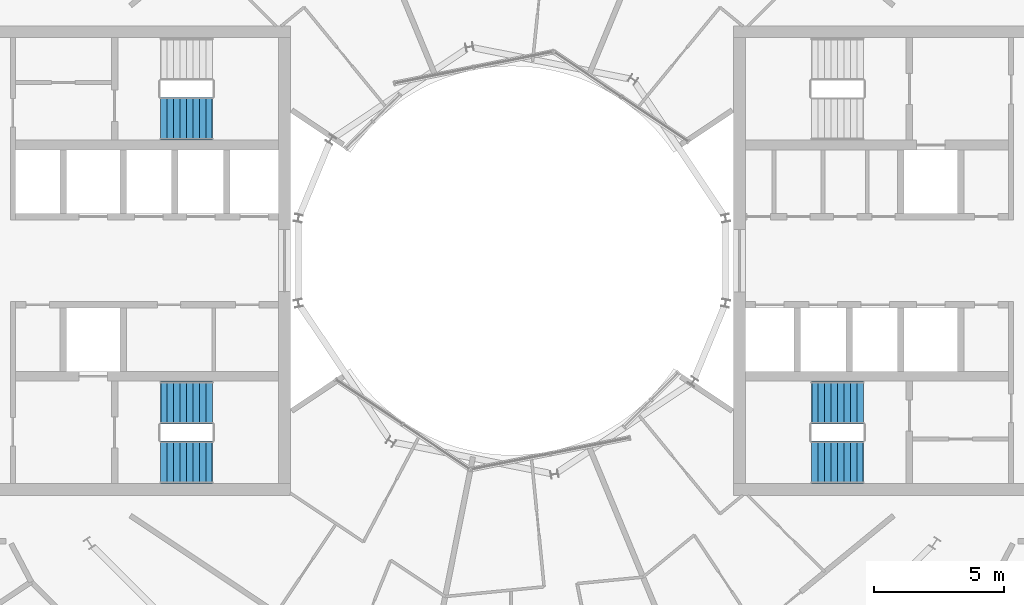
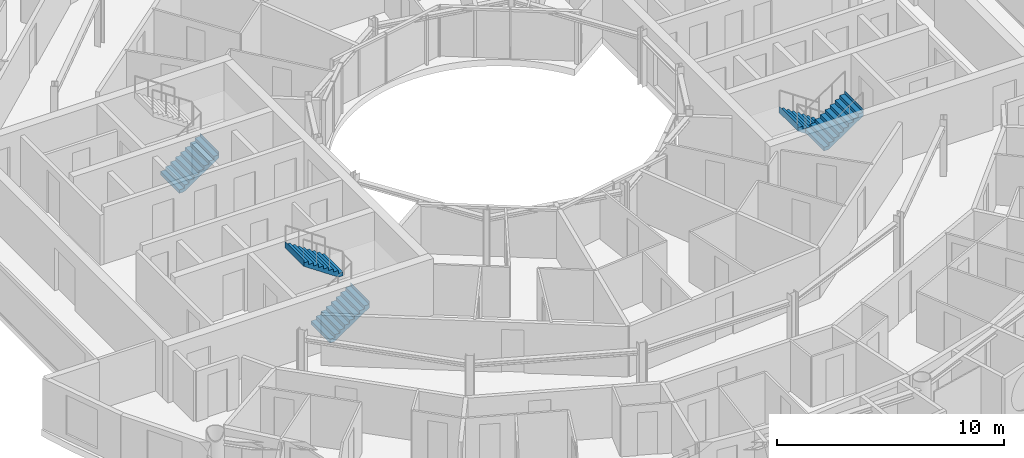
# One storey, part 26 of 29: 5 stair flights, 3 elements without a shape of their own.
"""IFC4 building model written with IfcOpenShell, lengths in metres."""

from ifc_helpers import new_model, si_unit, direction, frame, origin, place, context, subcontext, project, spatial, triangles, material, type_object, element, aggregate, save


model = new_model("IFC4")

# Units and contexts
model_context = context("Model", 3, precision=1e-05, world=origin(), true_north=direction((0.0, 1.0)))
body_context = subcontext(model_context, "Body", "Model", "MODEL_VIEW")
ifc_project = project(units=[si_unit("LENGTHUNIT", "METRE"), si_unit("AREAUNIT", "SQUARE_METRE"), si_unit("VOLUMEUNIT", "CUBIC_METRE"), si_unit("PLANEANGLEUNIT", "RADIAN"), si_unit("MASSUNIT", "GRAM", prefix="KILO")], contexts=[model_context])

# Site, building, storey
site_placement = place(None, origin())
site = spatial("IfcSite", under=ifc_project, at=site_placement, CompositionType="ELEMENT")
building_placement = place(site_placement, origin())
building = spatial("IfcBuilding", under=site, at=building_placement, Name="Maasbend Ring Residences", CompositionType="ELEMENT")
storey_placement = place(building_placement, frame((0.0, 0.0, 212.699951171875)))
storey = spatial("IfcBuildingStorey", under=building, at=storey_placement, Name="L61", CompositionType="ELEMENT", Elevation=212.699951171875)

# Stair, stair flights
ifc_material_1 = material(Name="Concrete C40/50", Category="concrete")
stair_type = type_object("IfcStairType", Name="CORE STAIR 18 RISERS", PredefinedType="HALF_TURN_STAIR", material=ifc_material_1)
stair_1_placement = place(storey_placement, origin())
stair_1 = element("IfcStair", 1, at=stair_1_placement, inside=storey, type_object=stair_type, Name="L61 Exit stair ST-E2", PredefinedType="HALF_TURN_STAIR")
ifc_material_2 = material(Name="Concrete C40/50", Category="concrete")
stair_flight_type = type_object("IfcStairFlightType", Name="CORE STAIR FLIGHT 1650", PredefinedType="STRAIGHT", material=ifc_material_2)
stair_flight_1_placement = place(storey_placement, frame((13.550048828125, -5.47509765625, 0.0), z_axis=(0.0, 0.0, 1.0), x_axis=(-1.0, 0.0, 0.0)))
stair_flight_1 = element("IfcStairFlight", 2, at=stair_flight_1_placement, type_object=stair_flight_type, Name="ST-E2 flight 1", NumberOfRisers=9, NumberOfTreads=8, PredefinedType="STRAIGHT", RiserHeight=0.169444444, TreadLength=0.25, context=body_context, shape_type="Tessellation", body=[
    triangles([(0.24072265625, 0.824951171875, -0.02001953125), (2.0029296875, 0.824951171875, 1.174560546875), (2.0029296875, 0.824951171875, 1.52490234375), (1.989990234375, 0.824951171875, 1.35546875), (1.75, 0.824951171875, 1.35546875), (1.75, 0.824951171875, 1.18603515625), (1.5, 0.824951171875, 1.18603515625), (1.5, 0.824951171875, 1.0166015625), (1.25, 0.824951171875, 1.0166015625), (1.25, 0.824951171875, 0.84716796875), (1.0, 0.824951171875, 0.84716796875), (1.0, 0.824951171875, 0.677734375), (0.75, 0.824951171875, 0.677734375), (0.75, 0.824951171875, 0.50830078125), (0.5, 0.824951171875, 0.50830078125), (0.5, 0.824951171875, 0.3388671875), (0.25, 0.824951171875, 0.3388671875), (0.25, 0.824951171875, 0.16943359375), (0.0, 0.824951171875, 0.16943359375), (0.0, 0.824951171875, 0.0), (-0.0029296875, 0.824951171875, 0.0), (-0.0029296875, 0.824951171875, -0.02001953125), (0.24072265625, 0.27490234375, -0.02001953125), (2.0029296875, 0.27490234375, 1.174560546875), (2.0029296875, 0.27490234375, 1.52490234375), (1.989990234375, 0.27490234375, 1.35546875), (1.75, 0.27490234375, 1.35546875), (1.75, 0.27490234375, 1.18603515625), (1.5, 0.27490234375, 1.18603515625), (1.5, 0.27490234375, 1.0166015625), (1.25, 0.27490234375, 1.0166015625), (1.25, 0.27490234375, 0.84716796875), (1.0, 0.27490234375, 0.84716796875), (1.0, 0.27490234375, 0.677734375), (0.75, 0.27490234375, 0.677734375), (0.75, 0.27490234375, 0.50830078125), (0.5, 0.27490234375, 0.50830078125), (0.5, 0.27490234375, 0.3388671875), (0.25, 0.27490234375, 0.3388671875), (0.25, 0.27490234375, 0.16943359375), (0.0, 0.27490234375, 0.16943359375), (0.0, 0.27490234375, 0.0), (-0.0029296875, 0.27490234375, 0.0), (-0.0029296875, 0.27490234375, -0.02001953125), (0.24072265625, -0.27490234375, -0.02001953125), (2.0029296875, -0.27490234375, 1.174560546875), (2.0029296875, -0.27490234375, 1.52490234375), (1.989990234375, -0.27490234375, 1.35546875), (1.75, -0.27490234375, 1.35546875), (1.75, -0.27490234375, 1.18603515625), (1.5, -0.27490234375, 1.18603515625), (1.5, -0.27490234375, 1.0166015625), (1.25, -0.27490234375, 1.0166015625), (1.25, -0.27490234375, 0.84716796875), (1.0, -0.27490234375, 0.84716796875), (1.0, -0.27490234375, 0.677734375), (0.75, -0.27490234375, 0.677734375), (0.75, -0.27490234375, 0.50830078125), (0.5, -0.27490234375, 0.50830078125), (0.5, -0.27490234375, 0.3388671875), (0.25, -0.27490234375, 0.3388671875), (0.25, -0.27490234375, 0.16943359375), (0.0, -0.27490234375, 0.16943359375), (0.0, -0.27490234375, 0.0), (-0.0029296875, -0.27490234375, 0.0), (-0.0029296875, -0.27490234375, -0.02001953125), (0.24072265625, -0.824951171875, -0.02001953125), (2.0029296875, -0.824951171875, 1.174560546875), (2.0029296875, -0.824951171875, 1.52490234375), (1.989990234375, -0.824951171875, 1.35546875), (1.75, -0.824951171875, 1.35546875), (1.75, -0.824951171875, 1.18603515625), (1.5, -0.824951171875, 1.18603515625), (1.5, -0.824951171875, 1.0166015625), (1.25, -0.824951171875, 1.0166015625), (1.25, -0.824951171875, 0.84716796875), (1.0, -0.824951171875, 0.84716796875), (1.0, -0.824951171875, 0.677734375), (0.75, -0.824951171875, 0.677734375), (0.75, -0.824951171875, 0.50830078125), (0.5, -0.824951171875, 0.50830078125), (0.5, -0.824951171875, 0.3388671875), (0.25, -0.824951171875, 0.3388671875), (0.25, -0.824951171875, 0.16943359375), (0.0, -0.824951171875, 0.16943359375), (0.0, -0.824951171875, 0.0), (-0.0029296875, -0.824951171875, 0.0), (-0.0029296875, -0.824951171875, -0.02001953125)], [[1, 2, 24], [1, 24, 23], [23, 24, 46], [23, 46, 45], [45, 46, 68], [45, 68, 67], [2, 3, 25], [2, 25, 24], [24, 25, 47], [24, 47, 46], [46, 47, 69], [46, 69, 68], [3, 4, 26], [3, 26, 25], [25, 26, 48], [25, 48, 47], [47, 48, 70], [47, 70, 69], [4, 5, 27], [4, 27, 26], [26, 27, 49], [26, 49, 48], [48, 49, 71], [48, 71, 70], [5, 6, 28], [5, 28, 27], [27, 28, 50], [27, 50, 49], [49, 50, 72], [49, 72, 71], [6, 7, 29], [6, 29, 28], [28, 29, 51], [28, 51, 50], [50, 51, 73], [50, 73, 72], [7, 8, 30], [7, 30, 29], [29, 30, 52], [29, 52, 51], [51, 52, 74], [51, 74, 73], [8, 9, 31], [8, 31, 30], [30, 31, 53], [30, 53, 52], [52, 53, 75], [52, 75, 74], [9, 10, 32], [9, 32, 31], [31, 32, 54], [31, 54, 53], [53, 54, 76], [53, 76, 75], [10, 11, 33], [10, 33, 32], [32, 33, 55], [32, 55, 54], [54, 55, 77], [54, 77, 76], [11, 12, 34], [11, 34, 33], [33, 34, 56], [33, 56, 55], [55, 56, 78], [55, 78, 77], [12, 13, 35], [12, 35, 34], [34, 35, 57], [34, 57, 56], [56, 57, 79], [56, 79, 78], [13, 14, 36], [13, 36, 35], [35, 36, 58], [35, 58, 57], [57, 58, 80], [57, 80, 79], [14, 15, 37], [14, 37, 36], [36, 37, 59], [36, 59, 58], [58, 59, 81], [58, 81, 80], [15, 16, 38], [15, 38, 37], [37, 38, 60], [37, 60, 59], [59, 60, 82], [59, 82, 81], [16, 17, 39], [16, 39, 38], [38, 39, 61], [38, 61, 60], [60, 61, 83], [60, 83, 82], [17, 18, 40], [17, 40, 39], [39, 40, 62], [39, 62, 61], [61, 62, 84], [61, 84, 83], [18, 19, 41], [18, 41, 40], [40, 41, 63], [40, 63, 62], [62, 63, 85], [62, 85, 84], [19, 20, 42], [19, 42, 41], [41, 42, 64], [41, 64, 63], [63, 64, 86], [63, 86, 85], [20, 21, 43], [20, 43, 42], [42, 43, 65], [42, 65, 64], [64, 65, 87], [64, 87, 86], [21, 22, 44], [21, 44, 43], [43, 44, 66], [43, 66, 65], [65, 66, 88], [65, 88, 87], [22, 1, 23], [22, 23, 44], [44, 23, 45], [44, 45, 66], [66, 45, 67], [66, 67, 88], [22, 2, 1], [2, 4, 3], [2, 5, 4], [2, 6, 5], [22, 6, 2], [6, 8, 7], [22, 8, 6], [8, 10, 9], [22, 10, 8], [10, 12, 11], [22, 12, 10], [12, 14, 13], [22, 14, 12], [14, 16, 15], [22, 16, 14], [16, 18, 17], [22, 18, 16], [18, 20, 19], [22, 20, 18], [20, 22, 21], [88, 67, 68], [68, 69, 70], [68, 70, 71], [68, 71, 72], [88, 68, 72], [72, 73, 74], [88, 72, 74], [74, 75, 76], [88, 74, 76], [76, 77, 78], [88, 76, 78], [78, 79, 80], [88, 78, 80], [80, 81, 82], [88, 80, 82], [82, 83, 84], [88, 82, 84], [84, 85, 86], [88, 84, 86], [86, 87, 88]], closed=True),
])
stair_flight_2_placement = place(storey_placement, frame((11.550048828125, -7.77490234375, 1.525146484375), z_axis=(0.0, 0.0, 1.0), x_axis=(1.0, 0.0, 0.0)))
stair_flight_2 = element("IfcStairFlight", 3, at=stair_flight_2_placement, type_object=stair_flight_type, Name="ST-E2 flight 2", NumberOfRisers=9, NumberOfTreads=8, PredefinedType="STRAIGHT", RiserHeight=0.169444444, TreadLength=0.25, context=body_context, shape_type="Tessellation", body=[
    triangles([(0.24072265625, 0.824951171875, -0.02001953125), (2.0029296875, 0.824951171875, 1.174560546875), (2.0029296875, 0.824951171875, 1.52490234375), (1.989990234375, 0.824951171875, 1.35546875), (1.75, 0.824951171875, 1.35546875), (1.75, 0.824951171875, 1.18603515625), (1.5, 0.824951171875, 1.18603515625), (1.5, 0.824951171875, 1.0166015625), (1.25, 0.824951171875, 1.0166015625), (1.25, 0.824951171875, 0.84716796875), (1.0, 0.824951171875, 0.84716796875), (1.0, 0.824951171875, 0.677734375), (0.75, 0.824951171875, 0.677734375), (0.75, 0.824951171875, 0.50830078125), (0.5, 0.824951171875, 0.50830078125), (0.5, 0.824951171875, 0.3388671875), (0.25, 0.824951171875, 0.3388671875), (0.25, 0.824951171875, 0.16943359375), (0.0, 0.824951171875, 0.16943359375), (0.0, 0.824951171875, 0.0), (-0.0029296875, 0.824951171875, 0.0), (-0.0029296875, 0.824951171875, -0.02001953125), (0.24072265625, 0.27490234375, -0.02001953125), (2.0029296875, 0.27490234375, 1.174560546875), (2.0029296875, 0.27490234375, 1.52490234375), (1.989990234375, 0.27490234375, 1.35546875), (1.75, 0.27490234375, 1.35546875), (1.75, 0.27490234375, 1.18603515625), (1.5, 0.27490234375, 1.18603515625), (1.5, 0.27490234375, 1.0166015625), (1.25, 0.27490234375, 1.0166015625), (1.25, 0.27490234375, 0.84716796875), (1.0, 0.27490234375, 0.84716796875), (1.0, 0.27490234375, 0.677734375), (0.75, 0.27490234375, 0.677734375), (0.75, 0.27490234375, 0.50830078125), (0.5, 0.27490234375, 0.50830078125), (0.5, 0.27490234375, 0.3388671875), (0.25, 0.27490234375, 0.3388671875), (0.25, 0.27490234375, 0.16943359375), (0.0, 0.27490234375, 0.16943359375), (0.0, 0.27490234375, 0.0), (-0.0029296875, 0.27490234375, 0.0), (-0.0029296875, 0.27490234375, -0.02001953125), (0.24072265625, -0.27490234375, -0.02001953125), (2.0029296875, -0.27490234375, 1.174560546875), (2.0029296875, -0.27490234375, 1.52490234375), (1.989990234375, -0.27490234375, 1.35546875), (1.75, -0.27490234375, 1.35546875), (1.75, -0.27490234375, 1.18603515625), (1.5, -0.27490234375, 1.18603515625), (1.5, -0.27490234375, 1.0166015625), (1.25, -0.27490234375, 1.0166015625), (1.25, -0.27490234375, 0.84716796875), (1.0, -0.27490234375, 0.84716796875), (1.0, -0.27490234375, 0.677734375), (0.75, -0.27490234375, 0.677734375), (0.75, -0.27490234375, 0.50830078125), (0.5, -0.27490234375, 0.50830078125), (0.5, -0.27490234375, 0.3388671875), (0.25, -0.27490234375, 0.3388671875), (0.25, -0.27490234375, 0.16943359375), (0.0, -0.27490234375, 0.16943359375), (0.0, -0.27490234375, 0.0), (-0.0029296875, -0.27490234375, 0.0), (-0.0029296875, -0.27490234375, -0.02001953125), (0.24072265625, -0.824951171875, -0.02001953125), (2.0029296875, -0.824951171875, 1.174560546875), (2.0029296875, -0.824951171875, 1.52490234375), (1.989990234375, -0.824951171875, 1.35546875), (1.75, -0.824951171875, 1.35546875), (1.75, -0.824951171875, 1.18603515625), (1.5, -0.824951171875, 1.18603515625), (1.5, -0.824951171875, 1.0166015625), (1.25, -0.824951171875, 1.0166015625), (1.25, -0.824951171875, 0.84716796875), (1.0, -0.824951171875, 0.84716796875), (1.0, -0.824951171875, 0.677734375), (0.75, -0.824951171875, 0.677734375), (0.75, -0.824951171875, 0.50830078125), (0.5, -0.824951171875, 0.50830078125), (0.5, -0.824951171875, 0.3388671875), (0.25, -0.824951171875, 0.3388671875), (0.25, -0.824951171875, 0.16943359375), (0.0, -0.824951171875, 0.16943359375), (0.0, -0.824951171875, 0.0), (-0.0029296875, -0.824951171875, 0.0), (-0.0029296875, -0.824951171875, -0.02001953125)], [[1, 2, 24], [1, 24, 23], [23, 24, 46], [23, 46, 45], [45, 46, 68], [45, 68, 67], [2, 3, 25], [2, 25, 24], [24, 25, 47], [24, 47, 46], [46, 47, 69], [46, 69, 68], [3, 4, 26], [3, 26, 25], [25, 26, 48], [25, 48, 47], [47, 48, 70], [47, 70, 69], [4, 5, 27], [4, 27, 26], [26, 27, 49], [26, 49, 48], [48, 49, 71], [48, 71, 70], [5, 6, 28], [5, 28, 27], [27, 28, 50], [27, 50, 49], [49, 50, 72], [49, 72, 71], [6, 7, 29], [6, 29, 28], [28, 29, 51], [28, 51, 50], [50, 51, 73], [50, 73, 72], [7, 8, 30], [7, 30, 29], [29, 30, 52], [29, 52, 51], [51, 52, 74], [51, 74, 73], [8, 9, 31], [8, 31, 30], [30, 31, 53], [30, 53, 52], [52, 53, 75], [52, 75, 74], [9, 10, 32], [9, 32, 31], [31, 32, 54], [31, 54, 53], [53, 54, 76], [53, 76, 75], [10, 11, 33], [10, 33, 32], [32, 33, 55], [32, 55, 54], [54, 55, 77], [54, 77, 76], [11, 12, 34], [11, 34, 33], [33, 34, 56], [33, 56, 55], [55, 56, 78], [55, 78, 77], [12, 13, 35], [12, 35, 34], [34, 35, 57], [34, 57, 56], [56, 57, 79], [56, 79, 78], [13, 14, 36], [13, 36, 35], [35, 36, 58], [35, 58, 57], [57, 58, 80], [57, 80, 79], [14, 15, 37], [14, 37, 36], [36, 37, 59], [36, 59, 58], [58, 59, 81], [58, 81, 80], [15, 16, 38], [15, 38, 37], [37, 38, 60], [37, 60, 59], [59, 60, 82], [59, 82, 81], [16, 17, 39], [16, 39, 38], [38, 39, 61], [38, 61, 60], [60, 61, 83], [60, 83, 82], [17, 18, 40], [17, 40, 39], [39, 40, 62], [39, 62, 61], [61, 62, 84], [61, 84, 83], [18, 19, 41], [18, 41, 40], [40, 41, 63], [40, 63, 62], [62, 63, 85], [62, 85, 84], [19, 20, 42], [19, 42, 41], [41, 42, 64], [41, 64, 63], [63, 64, 86], [63, 86, 85], [20, 21, 43], [20, 43, 42], [42, 43, 65], [42, 65, 64], [64, 65, 87], [64, 87, 86], [21, 22, 44], [21, 44, 43], [43, 44, 66], [43, 66, 65], [65, 66, 88], [65, 88, 87], [22, 1, 23], [22, 23, 44], [44, 23, 45], [44, 45, 66], [66, 45, 67], [66, 67, 88], [22, 2, 1], [2, 4, 3], [2, 5, 4], [2, 6, 5], [22, 6, 2], [6, 8, 7], [22, 8, 6], [8, 10, 9], [22, 10, 8], [10, 12, 11], [22, 12, 10], [12, 14, 13], [22, 14, 12], [14, 16, 15], [22, 16, 14], [16, 18, 17], [22, 18, 16], [18, 20, 19], [22, 20, 18], [20, 22, 21], [88, 67, 68], [68, 69, 70], [68, 70, 71], [68, 71, 72], [88, 68, 72], [72, 73, 74], [88, 72, 74], [74, 75, 76], [88, 74, 76], [76, 77, 78], [88, 76, 78], [78, 79, 80], [88, 78, 80], [80, 81, 82], [88, 80, 82], [82, 83, 84], [88, 82, 84], [84, 85, 86], [88, 84, 86], [86, 87, 88]], closed=True),
])
aggregate(stair_1, [stair_flight_1, stair_flight_2])

stair_2_placement = place(storey_placement, origin())
stair_2 = element("IfcStair", 4, at=stair_2_placement, inside=storey, type_object=stair_type, Name="L61 Exit stair ST-W1", PredefinedType="HALF_TURN_STAIR")
stair_flight_3_placement = place(storey_placement, frame((-13.550048828125, -7.77490234375, 0.0), z_axis=(0.0, 0.0, 1.0), x_axis=(1.0, 0.0, 0.0)))
stair_flight_3 = element("IfcStairFlight", 5, at=stair_flight_3_placement, type_object=stair_flight_type, Name="ST-W1 flight 1", NumberOfRisers=9, NumberOfTreads=8, PredefinedType="STRAIGHT", RiserHeight=0.169444444, TreadLength=0.25, context=body_context, shape_type="Tessellation", body=[
    triangles([(0.24072265625, 0.824951171875, -0.02001953125), (2.0029296875, 0.824951171875, 1.174560546875), (2.0029296875, 0.824951171875, 1.52490234375), (1.989990234375, 0.824951171875, 1.35546875), (1.75, 0.824951171875, 1.35546875), (1.75, 0.824951171875, 1.18603515625), (1.5, 0.824951171875, 1.18603515625), (1.5, 0.824951171875, 1.0166015625), (1.25, 0.824951171875, 1.0166015625), (1.25, 0.824951171875, 0.84716796875), (1.0, 0.824951171875, 0.84716796875), (1.0, 0.824951171875, 0.677734375), (0.75, 0.824951171875, 0.677734375), (0.75, 0.824951171875, 0.50830078125), (0.5, 0.824951171875, 0.50830078125), (0.5, 0.824951171875, 0.3388671875), (0.25, 0.824951171875, 0.3388671875), (0.25, 0.824951171875, 0.16943359375), (0.0, 0.824951171875, 0.16943359375), (0.0, 0.824951171875, 0.0), (-0.0029296875, 0.824951171875, 0.0), (-0.0029296875, 0.824951171875, -0.02001953125), (0.24072265625, 0.27490234375, -0.02001953125), (2.0029296875, 0.27490234375, 1.174560546875), (2.0029296875, 0.27490234375, 1.52490234375), (1.989990234375, 0.27490234375, 1.35546875), (1.75, 0.27490234375, 1.35546875), (1.75, 0.27490234375, 1.18603515625), (1.5, 0.27490234375, 1.18603515625), (1.5, 0.27490234375, 1.0166015625), (1.25, 0.27490234375, 1.0166015625), (1.25, 0.27490234375, 0.84716796875), (1.0, 0.27490234375, 0.84716796875), (1.0, 0.27490234375, 0.677734375), (0.75, 0.27490234375, 0.677734375), (0.75, 0.27490234375, 0.50830078125), (0.5, 0.27490234375, 0.50830078125), (0.5, 0.27490234375, 0.3388671875), (0.25, 0.27490234375, 0.3388671875), (0.25, 0.27490234375, 0.16943359375), (0.0, 0.27490234375, 0.16943359375), (0.0, 0.27490234375, 0.0), (-0.0029296875, 0.27490234375, 0.0), (-0.0029296875, 0.27490234375, -0.02001953125), (0.24072265625, -0.27490234375, -0.02001953125), (2.0029296875, -0.27490234375, 1.174560546875), (2.0029296875, -0.27490234375, 1.52490234375), (1.989990234375, -0.27490234375, 1.35546875), (1.75, -0.27490234375, 1.35546875), (1.75, -0.27490234375, 1.18603515625), (1.5, -0.27490234375, 1.18603515625), (1.5, -0.27490234375, 1.0166015625), (1.25, -0.27490234375, 1.0166015625), (1.25, -0.27490234375, 0.84716796875), (1.0, -0.27490234375, 0.84716796875), (1.0, -0.27490234375, 0.677734375), (0.75, -0.27490234375, 0.677734375), (0.75, -0.27490234375, 0.50830078125), (0.5, -0.27490234375, 0.50830078125), (0.5, -0.27490234375, 0.3388671875), (0.25, -0.27490234375, 0.3388671875), (0.25, -0.27490234375, 0.16943359375), (0.0, -0.27490234375, 0.16943359375), (0.0, -0.27490234375, 0.0), (-0.0029296875, -0.27490234375, 0.0), (-0.0029296875, -0.27490234375, -0.02001953125), (0.24072265625, -0.824951171875, -0.02001953125), (2.0029296875, -0.824951171875, 1.174560546875), (2.0029296875, -0.824951171875, 1.52490234375), (1.989990234375, -0.824951171875, 1.35546875), (1.75, -0.824951171875, 1.35546875), (1.75, -0.824951171875, 1.18603515625), (1.5, -0.824951171875, 1.18603515625), (1.5, -0.824951171875, 1.0166015625), (1.25, -0.824951171875, 1.0166015625), (1.25, -0.824951171875, 0.84716796875), (1.0, -0.824951171875, 0.84716796875), (1.0, -0.824951171875, 0.677734375), (0.75, -0.824951171875, 0.677734375), (0.75, -0.824951171875, 0.50830078125), (0.5, -0.824951171875, 0.50830078125), (0.5, -0.824951171875, 0.3388671875), (0.25, -0.824951171875, 0.3388671875), (0.25, -0.824951171875, 0.16943359375), (0.0, -0.824951171875, 0.16943359375), (0.0, -0.824951171875, 0.0), (-0.0029296875, -0.824951171875, 0.0), (-0.0029296875, -0.824951171875, -0.02001953125)], [[1, 2, 24], [1, 24, 23], [23, 24, 46], [23, 46, 45], [45, 46, 68], [45, 68, 67], [2, 3, 25], [2, 25, 24], [24, 25, 47], [24, 47, 46], [46, 47, 69], [46, 69, 68], [3, 4, 26], [3, 26, 25], [25, 26, 48], [25, 48, 47], [47, 48, 70], [47, 70, 69], [4, 5, 27], [4, 27, 26], [26, 27, 49], [26, 49, 48], [48, 49, 71], [48, 71, 70], [5, 6, 28], [5, 28, 27], [27, 28, 50], [27, 50, 49], [49, 50, 72], [49, 72, 71], [6, 7, 29], [6, 29, 28], [28, 29, 51], [28, 51, 50], [50, 51, 73], [50, 73, 72], [7, 8, 30], [7, 30, 29], [29, 30, 52], [29, 52, 51], [51, 52, 74], [51, 74, 73], [8, 9, 31], [8, 31, 30], [30, 31, 53], [30, 53, 52], [52, 53, 75], [52, 75, 74], [9, 10, 32], [9, 32, 31], [31, 32, 54], [31, 54, 53], [53, 54, 76], [53, 76, 75], [10, 11, 33], [10, 33, 32], [32, 33, 55], [32, 55, 54], [54, 55, 77], [54, 77, 76], [11, 12, 34], [11, 34, 33], [33, 34, 56], [33, 56, 55], [55, 56, 78], [55, 78, 77], [12, 13, 35], [12, 35, 34], [34, 35, 57], [34, 57, 56], [56, 57, 79], [56, 79, 78], [13, 14, 36], [13, 36, 35], [35, 36, 58], [35, 58, 57], [57, 58, 80], [57, 80, 79], [14, 15, 37], [14, 37, 36], [36, 37, 59], [36, 59, 58], [58, 59, 81], [58, 81, 80], [15, 16, 38], [15, 38, 37], [37, 38, 60], [37, 60, 59], [59, 60, 82], [59, 82, 81], [16, 17, 39], [16, 39, 38], [38, 39, 61], [38, 61, 60], [60, 61, 83], [60, 83, 82], [17, 18, 40], [17, 40, 39], [39, 40, 62], [39, 62, 61], [61, 62, 84], [61, 84, 83], [18, 19, 41], [18, 41, 40], [40, 41, 63], [40, 63, 62], [62, 63, 85], [62, 85, 84], [19, 20, 42], [19, 42, 41], [41, 42, 64], [41, 64, 63], [63, 64, 86], [63, 86, 85], [20, 21, 43], [20, 43, 42], [42, 43, 65], [42, 65, 64], [64, 65, 87], [64, 87, 86], [21, 22, 44], [21, 44, 43], [43, 44, 66], [43, 66, 65], [65, 66, 88], [65, 88, 87], [22, 1, 23], [22, 23, 44], [44, 23, 45], [44, 45, 66], [66, 45, 67], [66, 67, 88], [22, 2, 1], [2, 4, 3], [2, 5, 4], [2, 6, 5], [22, 6, 2], [6, 8, 7], [22, 8, 6], [8, 10, 9], [22, 10, 8], [10, 12, 11], [22, 12, 10], [12, 14, 13], [22, 14, 12], [14, 16, 15], [22, 16, 14], [16, 18, 17], [22, 18, 16], [18, 20, 19], [22, 20, 18], [20, 22, 21], [88, 67, 68], [68, 69, 70], [68, 70, 71], [68, 71, 72], [88, 68, 72], [72, 73, 74], [88, 72, 74], [74, 75, 76], [88, 74, 76], [76, 77, 78], [88, 76, 78], [78, 79, 80], [88, 78, 80], [80, 81, 82], [88, 80, 82], [82, 83, 84], [88, 82, 84], [84, 85, 86], [88, 84, 86], [86, 87, 88]], closed=True),
])
stair_flight_4_placement = place(storey_placement, frame((-11.550048828125, -5.47509765625, 1.525146484375), z_axis=(0.0, 0.0, 1.0), x_axis=(-1.0, 0.0, 0.0)))
stair_flight_4 = element("IfcStairFlight", 6, at=stair_flight_4_placement, type_object=stair_flight_type, Name="ST-W1 flight 2", NumberOfRisers=9, NumberOfTreads=8, PredefinedType="STRAIGHT", RiserHeight=0.169444444, TreadLength=0.25, context=body_context, shape_type="Tessellation", body=[
    triangles([(0.24072265625, 0.824951171875, -0.02001953125), (2.0029296875, 0.824951171875, 1.174560546875), (2.0029296875, 0.824951171875, 1.52490234375), (1.989990234375, 0.824951171875, 1.35546875), (1.75, 0.824951171875, 1.35546875), (1.75, 0.824951171875, 1.18603515625), (1.5, 0.824951171875, 1.18603515625), (1.5, 0.824951171875, 1.0166015625), (1.25, 0.824951171875, 1.0166015625), (1.25, 0.824951171875, 0.84716796875), (1.0, 0.824951171875, 0.84716796875), (1.0, 0.824951171875, 0.677734375), (0.75, 0.824951171875, 0.677734375), (0.75, 0.824951171875, 0.50830078125), (0.5, 0.824951171875, 0.50830078125), (0.5, 0.824951171875, 0.3388671875), (0.25, 0.824951171875, 0.3388671875), (0.25, 0.824951171875, 0.16943359375), (0.0, 0.824951171875, 0.16943359375), (0.0, 0.824951171875, 0.0), (-0.0029296875, 0.824951171875, 0.0), (-0.0029296875, 0.824951171875, -0.02001953125), (0.24072265625, 0.27490234375, -0.02001953125), (2.0029296875, 0.27490234375, 1.174560546875), (2.0029296875, 0.27490234375, 1.52490234375), (1.989990234375, 0.27490234375, 1.35546875), (1.75, 0.27490234375, 1.35546875), (1.75, 0.27490234375, 1.18603515625), (1.5, 0.27490234375, 1.18603515625), (1.5, 0.27490234375, 1.0166015625), (1.25, 0.27490234375, 1.0166015625), (1.25, 0.27490234375, 0.84716796875), (1.0, 0.27490234375, 0.84716796875), (1.0, 0.27490234375, 0.677734375), (0.75, 0.27490234375, 0.677734375), (0.75, 0.27490234375, 0.50830078125), (0.5, 0.27490234375, 0.50830078125), (0.5, 0.27490234375, 0.3388671875), (0.25, 0.27490234375, 0.3388671875), (0.25, 0.27490234375, 0.16943359375), (0.0, 0.27490234375, 0.16943359375), (0.0, 0.27490234375, 0.0), (-0.0029296875, 0.27490234375, 0.0), (-0.0029296875, 0.27490234375, -0.02001953125), (0.24072265625, -0.27490234375, -0.02001953125), (2.0029296875, -0.27490234375, 1.174560546875), (2.0029296875, -0.27490234375, 1.52490234375), (1.989990234375, -0.27490234375, 1.35546875), (1.75, -0.27490234375, 1.35546875), (1.75, -0.27490234375, 1.18603515625), (1.5, -0.27490234375, 1.18603515625), (1.5, -0.27490234375, 1.0166015625), (1.25, -0.27490234375, 1.0166015625), (1.25, -0.27490234375, 0.84716796875), (1.0, -0.27490234375, 0.84716796875), (1.0, -0.27490234375, 0.677734375), (0.75, -0.27490234375, 0.677734375), (0.75, -0.27490234375, 0.50830078125), (0.5, -0.27490234375, 0.50830078125), (0.5, -0.27490234375, 0.3388671875), (0.25, -0.27490234375, 0.3388671875), (0.25, -0.27490234375, 0.16943359375), (0.0, -0.27490234375, 0.16943359375), (0.0, -0.27490234375, 0.0), (-0.0029296875, -0.27490234375, 0.0), (-0.0029296875, -0.27490234375, -0.02001953125), (0.24072265625, -0.824951171875, -0.02001953125), (2.0029296875, -0.824951171875, 1.174560546875), (2.0029296875, -0.824951171875, 1.52490234375), (1.989990234375, -0.824951171875, 1.35546875), (1.75, -0.824951171875, 1.35546875), (1.75, -0.824951171875, 1.18603515625), (1.5, -0.824951171875, 1.18603515625), (1.5, -0.824951171875, 1.0166015625), (1.25, -0.824951171875, 1.0166015625), (1.25, -0.824951171875, 0.84716796875), (1.0, -0.824951171875, 0.84716796875), (1.0, -0.824951171875, 0.677734375), (0.75, -0.824951171875, 0.677734375), (0.75, -0.824951171875, 0.50830078125), (0.5, -0.824951171875, 0.50830078125), (0.5, -0.824951171875, 0.3388671875), (0.25, -0.824951171875, 0.3388671875), (0.25, -0.824951171875, 0.16943359375), (0.0, -0.824951171875, 0.16943359375), (0.0, -0.824951171875, 0.0), (-0.0029296875, -0.824951171875, 0.0), (-0.0029296875, -0.824951171875, -0.02001953125)], [[1, 2, 24], [1, 24, 23], [23, 24, 46], [23, 46, 45], [45, 46, 68], [45, 68, 67], [2, 3, 25], [2, 25, 24], [24, 25, 47], [24, 47, 46], [46, 47, 69], [46, 69, 68], [3, 4, 26], [3, 26, 25], [25, 26, 48], [25, 48, 47], [47, 48, 70], [47, 70, 69], [4, 5, 27], [4, 27, 26], [26, 27, 49], [26, 49, 48], [48, 49, 71], [48, 71, 70], [5, 6, 28], [5, 28, 27], [27, 28, 50], [27, 50, 49], [49, 50, 72], [49, 72, 71], [6, 7, 29], [6, 29, 28], [28, 29, 51], [28, 51, 50], [50, 51, 73], [50, 73, 72], [7, 8, 30], [7, 30, 29], [29, 30, 52], [29, 52, 51], [51, 52, 74], [51, 74, 73], [8, 9, 31], [8, 31, 30], [30, 31, 53], [30, 53, 52], [52, 53, 75], [52, 75, 74], [9, 10, 32], [9, 32, 31], [31, 32, 54], [31, 54, 53], [53, 54, 76], [53, 76, 75], [10, 11, 33], [10, 33, 32], [32, 33, 55], [32, 55, 54], [54, 55, 77], [54, 77, 76], [11, 12, 34], [11, 34, 33], [33, 34, 56], [33, 56, 55], [55, 56, 78], [55, 78, 77], [12, 13, 35], [12, 35, 34], [34, 35, 57], [34, 57, 56], [56, 57, 79], [56, 79, 78], [13, 14, 36], [13, 36, 35], [35, 36, 58], [35, 58, 57], [57, 58, 80], [57, 80, 79], [14, 15, 37], [14, 37, 36], [36, 37, 59], [36, 59, 58], [58, 59, 81], [58, 81, 80], [15, 16, 38], [15, 38, 37], [37, 38, 60], [37, 60, 59], [59, 60, 82], [59, 82, 81], [16, 17, 39], [16, 39, 38], [38, 39, 61], [38, 61, 60], [60, 61, 83], [60, 83, 82], [17, 18, 40], [17, 40, 39], [39, 40, 62], [39, 62, 61], [61, 62, 84], [61, 84, 83], [18, 19, 41], [18, 41, 40], [40, 41, 63], [40, 63, 62], [62, 63, 85], [62, 85, 84], [19, 20, 42], [19, 42, 41], [41, 42, 64], [41, 64, 63], [63, 64, 86], [63, 86, 85], [20, 21, 43], [20, 43, 42], [42, 43, 65], [42, 65, 64], [64, 65, 87], [64, 87, 86], [21, 22, 44], [21, 44, 43], [43, 44, 66], [43, 66, 65], [65, 66, 88], [65, 88, 87], [22, 1, 23], [22, 23, 44], [44, 23, 45], [44, 45, 66], [66, 45, 67], [66, 67, 88], [22, 2, 1], [2, 4, 3], [2, 5, 4], [2, 6, 5], [22, 6, 2], [6, 8, 7], [22, 8, 6], [8, 10, 9], [22, 10, 8], [10, 12, 11], [22, 12, 10], [12, 14, 13], [22, 14, 12], [14, 16, 15], [22, 16, 14], [16, 18, 17], [22, 18, 16], [18, 20, 19], [22, 20, 18], [20, 22, 21], [88, 67, 68], [68, 69, 70], [68, 70, 71], [68, 71, 72], [88, 68, 72], [72, 73, 74], [88, 72, 74], [74, 75, 76], [88, 74, 76], [76, 77, 78], [88, 76, 78], [78, 79, 80], [88, 78, 80], [80, 81, 82], [88, 80, 82], [82, 83, 84], [88, 82, 84], [84, 85, 86], [88, 84, 86], [86, 87, 88]], closed=True),
])
aggregate(stair_2, [stair_flight_3, stair_flight_4])

# Stair, stair flight
stair_3_placement = place(storey_placement, origin())
stair_3 = element("IfcStair", 7, at=stair_3_placement, inside=storey, type_object=stair_type, Name="L61 Exit stair ST-W2", PredefinedType="HALF_TURN_STAIR")
stair_flight_5_placement = place(storey_placement, frame((-13.550048828125, 5.47509765625, 0.0), z_axis=(0.0, 0.0, 1.0), x_axis=(1.0, 0.0, 0.0)))
stair_flight_5 = element("IfcStairFlight", 8, at=stair_flight_5_placement, type_object=stair_flight_type, Name="ST-W2 flight 1", NumberOfRisers=9, NumberOfTreads=8, PredefinedType="STRAIGHT", RiserHeight=0.169444444, TreadLength=0.25, context=body_context, shape_type="Tessellation", body=[
    triangles([(0.24072265625, 0.824951171875, -0.02001953125), (2.0029296875, 0.824951171875, 1.174560546875), (2.0029296875, 0.824951171875, 1.52490234375), (1.989990234375, 0.824951171875, 1.35546875), (1.75, 0.824951171875, 1.35546875), (1.75, 0.824951171875, 1.18603515625), (1.5, 0.824951171875, 1.18603515625), (1.5, 0.824951171875, 1.0166015625), (1.25, 0.824951171875, 1.0166015625), (1.25, 0.824951171875, 0.84716796875), (1.0, 0.824951171875, 0.84716796875), (1.0, 0.824951171875, 0.677734375), (0.75, 0.824951171875, 0.677734375), (0.75, 0.824951171875, 0.50830078125), (0.5, 0.824951171875, 0.50830078125), (0.5, 0.824951171875, 0.3388671875), (0.25, 0.824951171875, 0.3388671875), (0.25, 0.824951171875, 0.16943359375), (0.0, 0.824951171875, 0.16943359375), (0.0, 0.824951171875, 0.0), (-0.0029296875, 0.824951171875, 0.0), (-0.0029296875, 0.824951171875, -0.02001953125), (0.24072265625, 0.27490234375, -0.02001953125), (2.0029296875, 0.27490234375, 1.174560546875), (2.0029296875, 0.27490234375, 1.52490234375), (1.989990234375, 0.27490234375, 1.35546875), (1.75, 0.27490234375, 1.35546875), (1.75, 0.27490234375, 1.18603515625), (1.5, 0.27490234375, 1.18603515625), (1.5, 0.27490234375, 1.0166015625), (1.25, 0.27490234375, 1.0166015625), (1.25, 0.27490234375, 0.84716796875), (1.0, 0.27490234375, 0.84716796875), (1.0, 0.27490234375, 0.677734375), (0.75, 0.27490234375, 0.677734375), (0.75, 0.27490234375, 0.50830078125), (0.5, 0.27490234375, 0.50830078125), (0.5, 0.27490234375, 0.3388671875), (0.25, 0.27490234375, 0.3388671875), (0.25, 0.27490234375, 0.16943359375), (0.0, 0.27490234375, 0.16943359375), (0.0, 0.27490234375, 0.0), (-0.0029296875, 0.27490234375, 0.0), (-0.0029296875, 0.27490234375, -0.02001953125), (0.24072265625, -0.27490234375, -0.02001953125), (2.0029296875, -0.27490234375, 1.174560546875), (2.0029296875, -0.27490234375, 1.52490234375), (1.989990234375, -0.27490234375, 1.35546875), (1.75, -0.27490234375, 1.35546875), (1.75, -0.27490234375, 1.18603515625), (1.5, -0.27490234375, 1.18603515625), (1.5, -0.27490234375, 1.0166015625), (1.25, -0.27490234375, 1.0166015625), (1.25, -0.27490234375, 0.84716796875), (1.0, -0.27490234375, 0.84716796875), (1.0, -0.27490234375, 0.677734375), (0.75, -0.27490234375, 0.677734375), (0.75, -0.27490234375, 0.50830078125), (0.5, -0.27490234375, 0.50830078125), (0.5, -0.27490234375, 0.3388671875), (0.25, -0.27490234375, 0.3388671875), (0.25, -0.27490234375, 0.16943359375), (0.0, -0.27490234375, 0.16943359375), (0.0, -0.27490234375, 0.0), (-0.0029296875, -0.27490234375, 0.0), (-0.0029296875, -0.27490234375, -0.02001953125), (0.24072265625, -0.824951171875, -0.02001953125), (2.0029296875, -0.824951171875, 1.174560546875), (2.0029296875, -0.824951171875, 1.52490234375), (1.989990234375, -0.824951171875, 1.35546875), (1.75, -0.824951171875, 1.35546875), (1.75, -0.824951171875, 1.18603515625), (1.5, -0.824951171875, 1.18603515625), (1.5, -0.824951171875, 1.0166015625), (1.25, -0.824951171875, 1.0166015625), (1.25, -0.824951171875, 0.84716796875), (1.0, -0.824951171875, 0.84716796875), (1.0, -0.824951171875, 0.677734375), (0.75, -0.824951171875, 0.677734375), (0.75, -0.824951171875, 0.50830078125), (0.5, -0.824951171875, 0.50830078125), (0.5, -0.824951171875, 0.3388671875), (0.25, -0.824951171875, 0.3388671875), (0.25, -0.824951171875, 0.16943359375), (0.0, -0.824951171875, 0.16943359375), (0.0, -0.824951171875, 0.0), (-0.0029296875, -0.824951171875, 0.0), (-0.0029296875, -0.824951171875, -0.02001953125)], [[1, 2, 24], [1, 24, 23], [23, 24, 46], [23, 46, 45], [45, 46, 68], [45, 68, 67], [2, 3, 25], [2, 25, 24], [24, 25, 47], [24, 47, 46], [46, 47, 69], [46, 69, 68], [3, 4, 26], [3, 26, 25], [25, 26, 48], [25, 48, 47], [47, 48, 70], [47, 70, 69], [4, 5, 27], [4, 27, 26], [26, 27, 49], [26, 49, 48], [48, 49, 71], [48, 71, 70], [5, 6, 28], [5, 28, 27], [27, 28, 50], [27, 50, 49], [49, 50, 72], [49, 72, 71], [6, 7, 29], [6, 29, 28], [28, 29, 51], [28, 51, 50], [50, 51, 73], [50, 73, 72], [7, 8, 30], [7, 30, 29], [29, 30, 52], [29, 52, 51], [51, 52, 74], [51, 74, 73], [8, 9, 31], [8, 31, 30], [30, 31, 53], [30, 53, 52], [52, 53, 75], [52, 75, 74], [9, 10, 32], [9, 32, 31], [31, 32, 54], [31, 54, 53], [53, 54, 76], [53, 76, 75], [10, 11, 33], [10, 33, 32], [32, 33, 55], [32, 55, 54], [54, 55, 77], [54, 77, 76], [11, 12, 34], [11, 34, 33], [33, 34, 56], [33, 56, 55], [55, 56, 78], [55, 78, 77], [12, 13, 35], [12, 35, 34], [34, 35, 57], [34, 57, 56], [56, 57, 79], [56, 79, 78], [13, 14, 36], [13, 36, 35], [35, 36, 58], [35, 58, 57], [57, 58, 80], [57, 80, 79], [14, 15, 37], [14, 37, 36], [36, 37, 59], [36, 59, 58], [58, 59, 81], [58, 81, 80], [15, 16, 38], [15, 38, 37], [37, 38, 60], [37, 60, 59], [59, 60, 82], [59, 82, 81], [16, 17, 39], [16, 39, 38], [38, 39, 61], [38, 61, 60], [60, 61, 83], [60, 83, 82], [17, 18, 40], [17, 40, 39], [39, 40, 62], [39, 62, 61], [61, 62, 84], [61, 84, 83], [18, 19, 41], [18, 41, 40], [40, 41, 63], [40, 63, 62], [62, 63, 85], [62, 85, 84], [19, 20, 42], [19, 42, 41], [41, 42, 64], [41, 64, 63], [63, 64, 86], [63, 86, 85], [20, 21, 43], [20, 43, 42], [42, 43, 65], [42, 65, 64], [64, 65, 87], [64, 87, 86], [21, 22, 44], [21, 44, 43], [43, 44, 66], [43, 66, 65], [65, 66, 88], [65, 88, 87], [22, 1, 23], [22, 23, 44], [44, 23, 45], [44, 45, 66], [66, 45, 67], [66, 67, 88], [22, 2, 1], [2, 4, 3], [2, 5, 4], [2, 6, 5], [22, 6, 2], [6, 8, 7], [22, 8, 6], [8, 10, 9], [22, 10, 8], [10, 12, 11], [22, 12, 10], [12, 14, 13], [22, 14, 12], [14, 16, 15], [22, 16, 14], [16, 18, 17], [22, 18, 16], [18, 20, 19], [22, 20, 18], [20, 22, 21], [88, 67, 68], [68, 69, 70], [68, 70, 71], [68, 71, 72], [88, 68, 72], [72, 73, 74], [88, 72, 74], [74, 75, 76], [88, 74, 76], [76, 77, 78], [88, 76, 78], [78, 79, 80], [88, 78, 80], [80, 81, 82], [88, 80, 82], [82, 83, 84], [88, 82, 84], [84, 85, 86], [88, 84, 86], [86, 87, 88]], closed=True),
])
aggregate(stair_3, [stair_flight_5])

save(model, "model.ifc")
